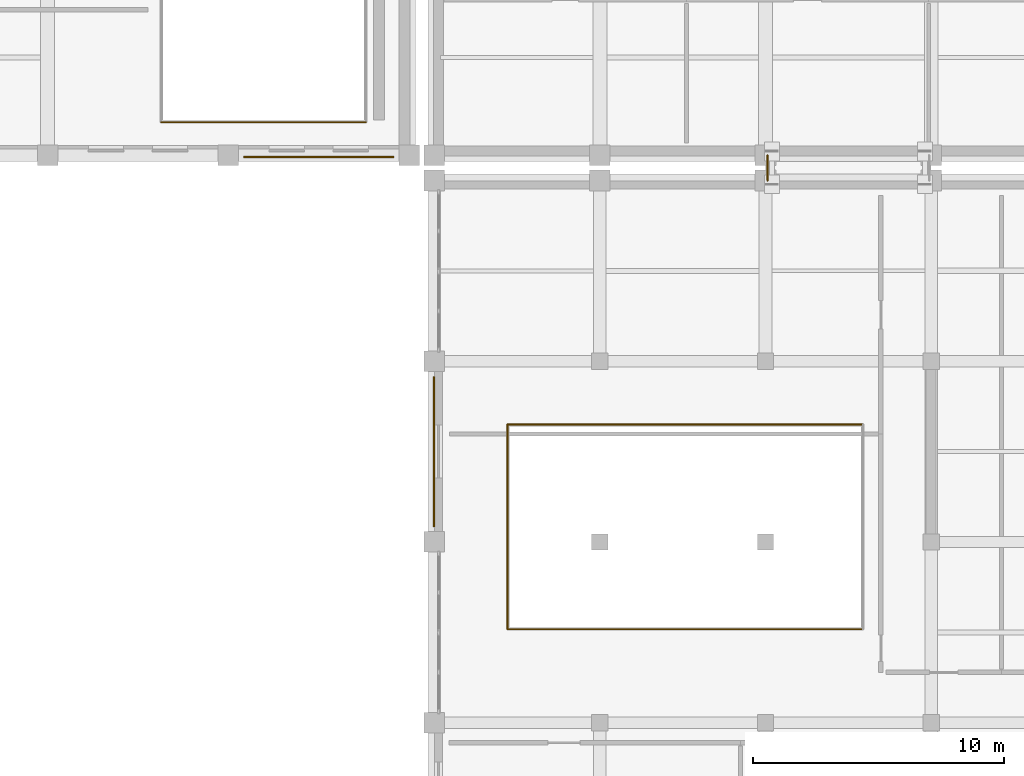
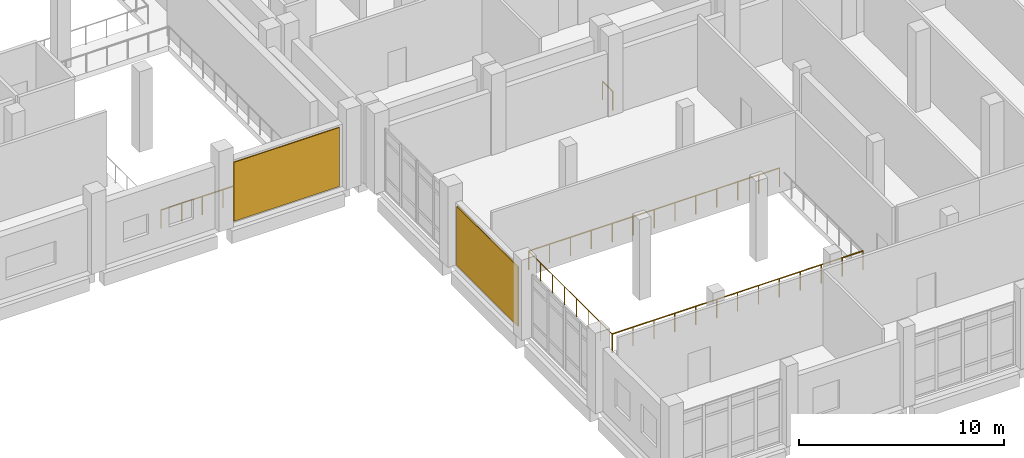
# One storey, part 64 of 73: 5 railings, 2 coverings.
"""IFC4 building model written with IfcOpenShell, lengths in metres."""

from ifc_helpers import new_model, si_unit, direction, frame, origin, origin_2d, place, context, subcontext, project, spatial, rectangle, circle, extrude, material, layer, layer_set, type_object, element, save


model = new_model("IFC4")

# Units and contexts
model_context = context("Model", 3, precision=1e-05, world=origin(), true_north=direction((0.0, 1.0)))
body_context = subcontext(model_context, "Body", "Model", "MODEL_VIEW")
ifc_project = project(units=[si_unit("LENGTHUNIT", "METRE"), si_unit("AREAUNIT", "SQUARE_METRE"), si_unit("VOLUMEUNIT", "CUBIC_METRE"), si_unit("PLANEANGLEUNIT", "RADIAN"), si_unit("MASSUNIT", "GRAM", prefix="KILO")], contexts=[model_context])

# Site, building, storey
site_placement = place(None, origin())
site = spatial("IfcSite", under=ifc_project, at=site_placement, CompositionType="ELEMENT")
building_placement = place(site_placement, origin())
building = spatial("IfcBuilding", under=site, at=building_placement, Name="Kelarvand Opera House", CompositionType="ELEMENT")
storey_placement = place(building_placement, frame((0.0, 0.0, 10.199951171875)))
storey = spatial("IfcBuildingStorey", under=building, at=storey_placement, Name="L02", CompositionType="ELEMENT", Elevation=10.199951171875)

# Coverings
ifc_material_1 = material(Name="Azarshahr buff travertine stone panels", Category="masonry")
ifc_layer = layer(ifc_material_1, 0.06005859375, Name="Azarshahr buff travertine stone panels", Category="masonry")
ifc_layer_set = layer_set([ifc_layer], Name="Azarshahr buff travertine stone panels")
covering_type = type_object("IfcCoveringType", Name="Azarshahr Honed Travertine Rainscreen Cladding 60mm", PredefinedType="CLADDING", material=ifc_layer_set)
covering_1_placement = place(storey_placement, frame((84.39990234375, 38.73388671875, 0.10009765625), z_axis=(0.0, 0.0, 1.0), x_axis=(-1.0, 0.0, 0.0)))
element("IfcCovering", 1, at=covering_1_placement, inside=storey, type_object=covering_type, Name="V2 Travertine Facade Cladding 10", PredefinedType="CLADDING", context=body_context, shape_type="SweptSolid", body=[
    extrude(rectangle(XDim=5.97998046875, YDim=0.06005859375, at=origin_2d()), origin(), (0.0, 0.0, 1.0), 3.52197265625),
])
covering_2_placement = place(storey_placement, frame((88.993896484375, 27.0, 0.10009765625), z_axis=(0.0, 0.0, 1.0), x_axis=(0.0, 1.0, 0.0)))
element("IfcCovering", 2, at=covering_2_placement, inside=storey, type_object=covering_type, Name="V6 Travertine Facade Cladding 28", PredefinedType="CLADDING", context=body_context, shape_type="SweptSolid", body=[
    extrude(rectangle(XDim=5.97998046875, YDim=0.06005859375, at=origin_2d()), origin(), (0.0, 0.0, 1.0), 3.5419921875),
])

# Railings
ifc_material_2 = material(Name="Laminated safety glass with bronze cap rail", Category="glass")
railing_type_1 = type_object("IfcRailingType", Name="Laminated Glass and Bronze Foyer Balustrade 1120", PredefinedType="BALUSTRADE", material=ifc_material_2)
railing_1_placement = place(storey_placement, frame((91.919921875, 28.080078125, 0.0)))
element("IfcRailing", 3, at=railing_1_placement, inside=storey, type_object=railing_type_1, Name="V6 L02 Balustrade 77", PredefinedType="BALUSTRADE", context=body_context, shape_type="SweptSolid", body=[
    extrude(circle(Radius=0.02392578125, at=origin_2d()), frame((0.0, 0.0, 1.09619140625), z_axis=(1.0, 0.0, 0.0), x_axis=(0.0, 1.0, 0.0)), (0.0, 0.0, 1.0), 14.16015625),
    extrude(circle(Radius=0.02099609375, at=origin_2d()), origin(), (0.0, 0.0, 1.0), 1.072021484375),
    extrude(circle(Radius=0.02099609375, at=origin_2d()), frame((1.179931640625, 0.0, 0.0)), (0.0, 0.0, 1.0), 1.072021484375),
    extrude(circle(Radius=0.02099609375, at=origin_2d()), frame((2.360107421875, 0.0, 0.0)), (0.0, 0.0, 1.0), 1.072021484375),
    extrude(circle(Radius=0.02099609375, at=origin_2d()), frame((3.5400390625, 0.0, 0.0)), (0.0, 0.0, 1.0), 1.072021484375),
    extrude(circle(Radius=0.02099609375, at=origin_2d()), frame((4.719970703125, 0.0, 0.0)), (0.0, 0.0, 1.0), 1.072021484375),
    extrude(circle(Radius=0.02099609375, at=origin_2d()), frame((5.900146484375, 0.0, 0.0)), (0.0, 0.0, 1.0), 1.072021484375),
    extrude(circle(Radius=0.02099609375, at=origin_2d()), frame((7.080078125, 0.0, 0.0)), (0.0, 0.0, 1.0), 1.072021484375),
    extrude(circle(Radius=0.02099609375, at=origin_2d()), frame((8.260009765625, 0.0, 0.0)), (0.0, 0.0, 1.0), 1.072021484375),
    extrude(circle(Radius=0.02099609375, at=origin_2d()), frame((9.440185546875, 0.0, 0.0)), (0.0, 0.0, 1.0), 1.072021484375),
    extrude(circle(Radius=0.02099609375, at=origin_2d()), frame((10.6201171875, 0.0, 0.0)), (0.0, 0.0, 1.0), 1.072021484375),
    extrude(circle(Radius=0.02099609375, at=origin_2d()), frame((11.800048828125, 0.0, 0.0)), (0.0, 0.0, 1.0), 1.072021484375),
    extrude(circle(Radius=0.02099609375, at=origin_2d()), frame((12.980224609375, 0.0, 0.0)), (0.0, 0.0, 1.0), 1.072021484375),
    extrude(circle(Radius=0.02099609375, at=origin_2d()), frame((14.16015625, 0.0, 0.0)), (0.0, 0.0, 1.0), 1.072021484375),
])
railing_2_placement = place(storey_placement, frame((106.080078125, 19.919921875, 0.0)))
element("IfcRailing", 4, at=railing_2_placement, inside=storey, type_object=railing_type_1, Name="V6 L02 Balustrade 79", PredefinedType="BALUSTRADE", context=body_context, shape_type="SweptSolid", body=[
    extrude(circle(Radius=0.02392578125, at=origin_2d()), frame((0.0, 0.0, 1.09619140625), z_axis=(-1.0, 0.0, 0.0), x_axis=(0.0, -1.0, 0.0)), (0.0, 0.0, 1.0), 14.16015625),
    extrude(circle(Radius=0.02099609375, at=origin_2d()), origin(), (0.0, 0.0, 1.0), 1.072021484375),
    extrude(circle(Radius=0.02099609375, at=origin_2d()), frame((-1.179931640625, 0.0, 0.0)), (0.0, 0.0, 1.0), 1.072021484375),
    extrude(circle(Radius=0.02099609375, at=origin_2d()), frame((-2.360107421875, 0.0, 0.0)), (0.0, 0.0, 1.0), 1.072021484375),
    extrude(circle(Radius=0.02099609375, at=origin_2d()), frame((-3.5400390625, 0.0, 0.0)), (0.0, 0.0, 1.0), 1.072021484375),
    extrude(circle(Radius=0.02099609375, at=origin_2d()), frame((-4.719970703125, 0.0, 0.0)), (0.0, 0.0, 1.0), 1.072021484375),
    extrude(circle(Radius=0.02099609375, at=origin_2d()), frame((-5.900146484375, 0.0, 0.0)), (0.0, 0.0, 1.0), 1.072021484375),
    extrude(circle(Radius=0.02099609375, at=origin_2d()), frame((-7.080078125, 0.0, 0.0)), (0.0, 0.0, 1.0), 1.072021484375),
    extrude(circle(Radius=0.02099609375, at=origin_2d()), frame((-8.260009765625, 0.0, 0.0)), (0.0, 0.0, 1.0), 1.072021484375),
    extrude(circle(Radius=0.02099609375, at=origin_2d()), frame((-9.440185546875, 0.0, 0.0)), (0.0, 0.0, 1.0), 1.072021484375),
    extrude(circle(Radius=0.02099609375, at=origin_2d()), frame((-10.6201171875, 0.0, 0.0)), (0.0, 0.0, 1.0), 1.072021484375),
    extrude(circle(Radius=0.02099609375, at=origin_2d()), frame((-11.800048828125, 0.0, 0.0)), (0.0, 0.0, 1.0), 1.072021484375),
    extrude(circle(Radius=0.02099609375, at=origin_2d()), frame((-12.980224609375, 0.0, 0.0)), (0.0, 0.0, 1.0), 1.072021484375),
    extrude(circle(Radius=0.02099609375, at=origin_2d()), frame((-14.16015625, 0.0, 0.0)), (0.0, 0.0, 1.0), 1.072021484375),
])
railing_3_placement = place(storey_placement, frame((91.919921875, 19.919921875, 0.0)))
element("IfcRailing", 5, at=railing_3_placement, inside=storey, type_object=railing_type_1, Name="V6 L02 Balustrade 80", PredefinedType="BALUSTRADE", context=body_context, shape_type="SweptSolid", body=[
    extrude(circle(Radius=0.02392578125, at=origin_2d()), frame((0.0, 0.0, 1.09619140625), z_axis=(0.0, 1.0, 0.0), x_axis=(-1.0, 0.0, 0.0)), (0.0, 0.0, 1.0), 8.16015625),
    extrude(circle(Radius=0.02099609375, at=origin_2d()), origin(), (0.0, 0.0, 1.0), 1.072021484375),
    extrude(circle(Radius=0.02099609375, at=origin_2d()), frame((0.0, 1.165771484375, 0.0)), (0.0, 0.0, 1.0), 1.072021484375),
    extrude(circle(Radius=0.02099609375, at=origin_2d()), frame((0.0, 2.33154296875, 0.0)), (0.0, 0.0, 1.0), 1.072021484375),
    extrude(circle(Radius=0.02099609375, at=origin_2d()), frame((0.0, 3.497314453125, 0.0)), (0.0, 0.0, 1.0), 1.072021484375),
    extrude(circle(Radius=0.02099609375, at=origin_2d()), frame((0.0, 4.662841796875, 0.0)), (0.0, 0.0, 1.0), 1.072021484375),
    extrude(circle(Radius=0.02099609375, at=origin_2d()), frame((0.0, 5.82861328125, 0.0)), (0.0, 0.0, 1.0), 1.072021484375),
    extrude(circle(Radius=0.02099609375, at=origin_2d()), frame((0.0, 6.994384765625, 0.0)), (0.0, 0.0, 1.0), 1.072021484375),
    extrude(circle(Radius=0.02099609375, at=origin_2d()), frame((0.0, 8.16015625, 0.0)), (0.0, 0.0, 1.0), 1.072021484375),
])
railing_4_placement = place(storey_placement, frame((102.280029296875, 37.800048828125, 0.0)))
element("IfcRailing", 6, at=railing_4_placement, inside=storey, type_object=railing_type_1, Name="V1 L02 Balustrade 169", PredefinedType="BALUSTRADE", context=body_context, shape_type="SweptSolid", body=[
    extrude(circle(Radius=0.02392578125, at=origin_2d()), frame((0.0, 0.0, 1.09619140625), z_axis=(0.0, 1.0, 0.0), x_axis=(-1.0, 0.0, 0.0)), (0.0, 0.0, 1.0), 1.0),
    extrude(circle(Radius=0.02099609375, at=origin_2d()), origin(), (0.0, 0.0, 1.0), 1.072021484375),
    extrude(circle(Radius=0.02099609375, at=origin_2d()), frame((0.0, 1.0, 0.0)), (0.0, 0.0, 1.0), 1.072021484375),
])
ifc_material_3 = material(Name="Powder-coated Steel S355", Category="steel")
railing_type_2 = type_object("IfcRailingType", Name="Painted Steel Stair and Void Guardrail 1100", PredefinedType="GUARDRAIL", material=ifc_material_3)
railing_5_placement = place(storey_placement, frame((86.280029296875, 40.1201171875, 0.0)))
element("IfcRailing", 7, at=railing_5_placement, inside=storey, type_object=railing_type_2, Name="V2 L02 Guardrail 58", PredefinedType="GUARDRAIL", context=body_context, shape_type="SweptSolid", body=[
    extrude(circle(Radius=0.02392578125, at=origin_2d()), frame((0.0, 0.0, 1.076171875), z_axis=(-1.0, 0.0, 0.0), x_axis=(0.0, -1.0, 0.0)), (0.0, 0.0, 1.0), 8.159912109375),
    extrude(circle(Radius=0.02099609375, at=origin_2d()), origin(), (0.0, 0.0, 1.0), 1.052001953125),
    extrude(circle(Radius=0.02099609375, at=origin_2d()), frame((-1.165771484375, 0.0, 0.0)), (0.0, 0.0, 1.0), 1.052001953125),
    extrude(circle(Radius=0.02099609375, at=origin_2d()), frame((-2.331298828125, 0.0, 0.0)), (0.0, 0.0, 1.0), 1.052001953125),
    extrude(circle(Radius=0.02099609375, at=origin_2d()), frame((-3.4970703125, 0.0, 0.0)), (0.0, 0.0, 1.0), 1.052001953125),
    extrude(circle(Radius=0.02099609375, at=origin_2d()), frame((-4.662841796875, 0.0, 0.0)), (0.0, 0.0, 1.0), 1.052001953125),
    extrude(circle(Radius=0.02099609375, at=origin_2d()), frame((-5.82861328125, 0.0, 0.0)), (0.0, 0.0, 1.0), 1.052001953125),
    extrude(circle(Radius=0.02099609375, at=origin_2d()), frame((-6.994140625, 0.0, 0.0)), (0.0, 0.0, 1.0), 1.052001953125),
    extrude(circle(Radius=0.02099609375, at=origin_2d()), frame((-8.159912109375, 0.0, 0.0)), (0.0, 0.0, 1.0), 1.052001953125),
])

save(model, "model.ifc")
